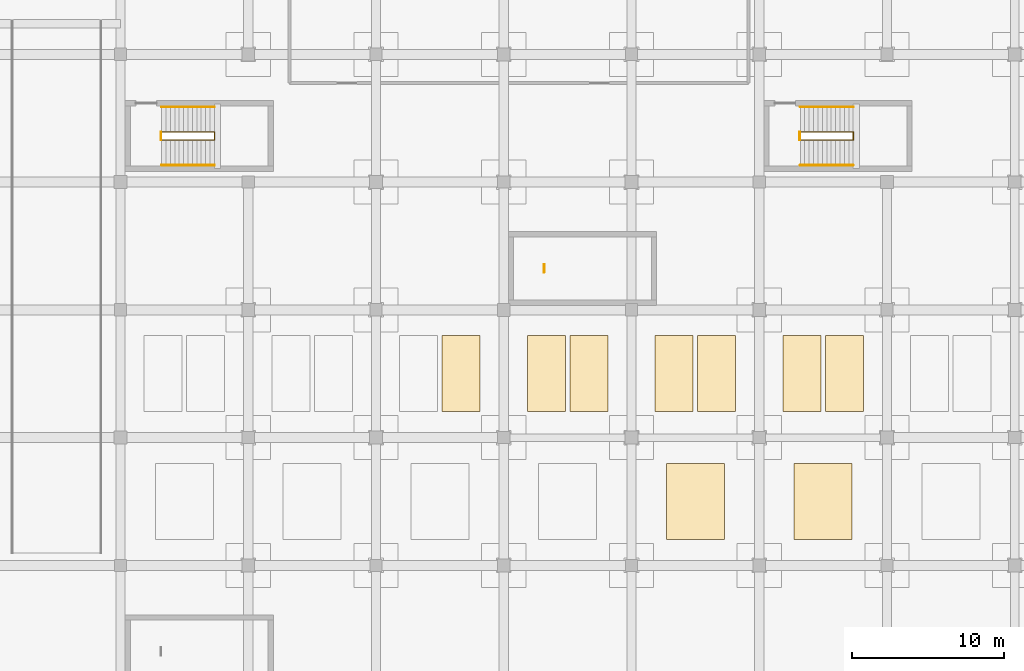
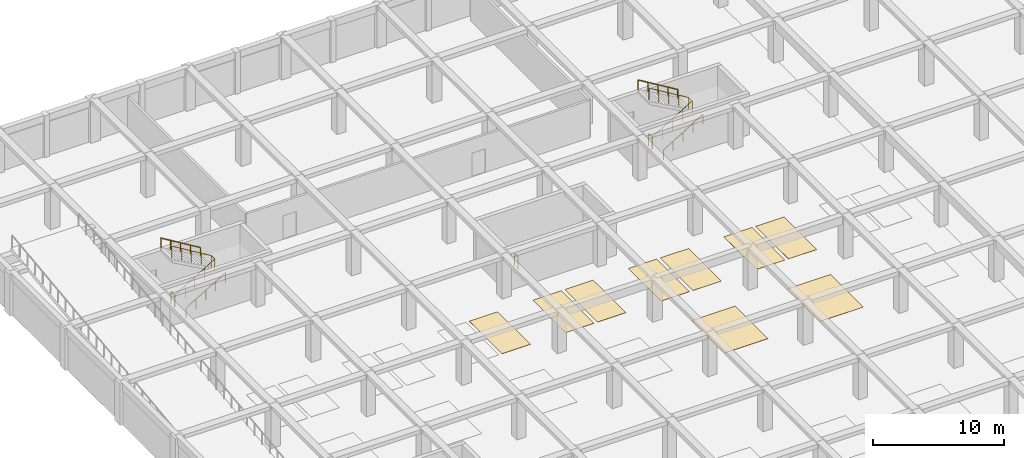
# One storey, part 27 of 32: 9 coverings, 9 railings.
"""IFC4 building model written with IfcOpenShell, lengths in metres."""

from ifc_helpers import new_model, si_unit, direction, frame, origin, origin_2d, place, context, subcontext, project, spatial, rectangle, circle, extrude, material, layer, layer_set, type_object, element, save


model = new_model("IFC4")

# Units and contexts
model_context = context("Model", 3, precision=1e-05, world=origin(), true_north=direction((0.0, 1.0)))
body_context = subcontext(model_context, "Body", "Model", "MODEL_VIEW")
ifc_project = project(units=[si_unit("LENGTHUNIT", "METRE"), si_unit("AREAUNIT", "SQUARE_METRE"), si_unit("VOLUMEUNIT", "CUBIC_METRE"), si_unit("PLANEANGLEUNIT", "RADIAN"), si_unit("MASSUNIT", "GRAM", prefix="KILO")], contexts=[model_context])

# Site, building, storey
site_placement = place(None, origin())
site = spatial("IfcSite", under=ifc_project, at=site_placement, CompositionType="ELEMENT")
building_placement = place(site_placement, origin())
building = spatial("IfcBuilding", under=site, at=building_placement, Name="Almacenes y Pasaje Nevantli", CompositionType="ELEMENT")
storey_placement = place(building_placement, frame((0.0, 0.0, -4.199951171875)))
storey = spatial("IfcBuildingStorey", under=building, at=storey_placement, Name="B01", CompositionType="ELEMENT", Elevation=-4.199951171875)

# Coverings
ifc_material_1 = material(Name="Thermoplastic Accessible Stall Marking", Category="stone")
ifc_layer_1 = layer(ifc_material_1, 0.010009765625)
ifc_layer_set_1 = layer_set([ifc_layer_1], Name="Thermoplastic Accessible Stall Marking")
covering_type_1 = type_object("IfcCoveringType", Name="COV-PARK-ACC", PredefinedType="FLOORING", material=ifc_layer_set_1)
for number, where, z_axis, x_axis, name in (
    (1, (46.199951171875, 71.39990234375, 0.0), (0.0, 0.0, 1.0), (1.0, 0.0, 0.0), "B01 Accessible Parking Bay Marking #26"),
    (2, (54.60009765625, 71.39990234375, 0.0), (0.0, 0.0, 1.0), (1.0, 0.0, 0.0), "B01 Accessible Parking Bay Marking #27"),
):
    element("IfcCovering", number, at=place(storey_placement, frame(where, z_axis=z_axis, x_axis=x_axis)), inside=storey, type_object=covering_type_1, Name=name, PredefinedType="FLOORING", context=body_context, shape_type="SweptSolid", body=[
        extrude(rectangle(XDim=3.800048828125, YDim=5.0, at=origin_2d()), origin(), (0.0, 0.0, 1.0), 0.010009765625),
    ])
ifc_material_2 = material(Name="Thermoplastic Traffic Deck Marking", Category="stone")
ifc_layer_2 = layer(ifc_material_2, 0.010009765625)
ifc_layer_set_2 = layer_set([ifc_layer_2], Name="Thermoplastic Traffic Deck Marking")
covering_type_2 = type_object("IfcCoveringType", Name="COV-PARK-BAY", PredefinedType="FLOORING", material=ifc_layer_set_2)
for number, where, z_axis, x_axis, name in (
    (3, (30.800048828125, 79.800048828125, 0.0), (0.0, 0.0, 1.0), (1.0, 0.0, 0.0), "B01 Underground Parking Bay Marking #88"),
    (4, (36.39990234375, 79.800048828125, 0.0), (0.0, 0.0, 1.0), (1.0, 0.0, 0.0), "B01 Underground Parking Bay Marking #89"),
    (5, (39.199951171875, 79.800048828125, 0.0), (0.0, 0.0, 1.0), (1.0, 0.0, 0.0), "B01 Underground Parking Bay Marking #90"),
    (6, (44.800048828125, 79.800048828125, 0.0), (0.0, 0.0, 1.0), (1.0, 0.0, 0.0), "B01 Underground Parking Bay Marking #91"),
    (7, (47.60009765625, 79.800048828125, 0.0), (0.0, 0.0, 1.0), (1.0, 0.0, 0.0), "B01 Underground Parking Bay Marking #92"),
    (8, (53.199951171875, 79.800048828125, 0.0), (0.0, 0.0, 1.0), (1.0, 0.0, 0.0), "B01 Underground Parking Bay Marking #93"),
    (9, (56.0, 79.800048828125, 0.0), (0.0, 0.0, 1.0), (1.0, 0.0, 0.0), "B01 Underground Parking Bay Marking #94"),
):
    element("IfcCovering", number, at=place(storey_placement, frame(where, z_axis=z_axis, x_axis=x_axis)), inside=storey, type_object=covering_type_2, Name=name, PredefinedType="FLOORING", context=body_context, shape_type="SweptSolid", body=[
        extrude(rectangle(XDim=2.5, YDim=5.0, at=origin_2d()), origin(), (0.0, 0.0, 1.0), 0.010009765625),
    ])

# Railings
ifc_material_3 = material(Name="Brushed Stainless Steel and Tempered Safety Glass", Category="steel")
railing_type_1 = type_object("IfcRailingType", Name="RL-GUARD-1100", PredefinedType="BALUSTRADE", material=ifc_material_3)
railing_1_placement = place(storey_placement, frame((11.10009765625, 95.159912109375, 0.0)))
element("IfcRailing", 10, at=railing_1_placement, inside=storey, type_object=railing_type_1, Name="B01 Stair ST-03 Inner Well Guard Balustrade", PredefinedType="BALUSTRADE", context=body_context, shape_type="SweptSolid", body=[
    extrude(circle(Radius=0.02392578125, at=origin_2d()), frame((0.025634765625, 0.0, 1.141357421875), z_axis=(0.856202320911, 0.0, 0.516640673647), x_axis=(0.0, 1.0, 0.0)), (0.0, 0.0, 1.0), 4.00439453125),
    extrude(circle(Radius=0.02392578125, at=origin_2d()), frame((3.47998046875, 0.030029296875, 3.2255859375), z_axis=(0.0, 1.0, 0.0), x_axis=(-1.0, 0.0, 0.0)), (0.0, 0.0, 1.0), 0.469970703125),
    extrude(circle(Radius=0.02392578125, at=origin_2d()), frame((3.454345703125, 0.530029296875, 3.2412109375), z_axis=(-0.856175749803, 0.0, 0.516684706034), x_axis=(0.0, -1.0, 0.0)), (0.0, 0.0, 1.0), 4.004638671875),
    extrude(circle(Radius=0.02099609375, at=origin_2d()), origin(), (0.0, 0.0, 1.0), 1.096923828125),
    extrude(circle(Radius=0.02099609375, at=origin_2d()), frame((0.8701171875, 0.0, 0.52490234375)), (0.0, 0.0, 1.0), 1.096923828125),
    extrude(circle(Radius=0.02099609375, at=origin_2d()), frame((1.739990234375, 0.0, 1.0498046875)), (0.0, 0.0, 1.0), 1.096923828125),
    extrude(circle(Radius=0.02099609375, at=origin_2d()), frame((2.60986328125, 0.0, 1.574951171875)), (0.0, 0.0, 1.0), 1.096923828125),
    extrude(circle(Radius=0.02099609375, at=origin_2d()), frame((3.47998046875, 0.0, 2.099853515625)), (0.0, 0.0, 1.0), 1.096923828125),
    extrude(circle(Radius=0.02099609375, at=origin_2d()), frame((3.47998046875, 0.530029296875, 2.099853515625)), (0.0, 0.0, 1.0), 1.096923828125),
    extrude(circle(Radius=0.02099609375, at=origin_2d()), frame((2.60986328125, 0.530029296875, 2.625)), (0.0, 0.0, 1.0), 1.096923828125),
    extrude(circle(Radius=0.02099609375, at=origin_2d()), frame((1.739990234375, 0.530029296875, 3.14990234375)), (0.0, 0.0, 1.0), 1.096923828125),
    extrude(circle(Radius=0.02099609375, at=origin_2d()), frame((0.8701171875, 0.530029296875, 3.6748046875)), (0.0, 0.0, 1.0), 1.096923828125),
    extrude(circle(Radius=0.02099609375, at=origin_2d()), frame((0.0, 0.530029296875, 4.199951171875)), (0.0, 0.0, 1.0), 1.096923828125),
])
railing_2_placement = place(storey_placement, frame((11.06005859375, 95.159912109375, 0.0)))
element("IfcRailing", 11, at=railing_2_placement, inside=storey, type_object=railing_type_1, Name="B01 Stair ST-03 Landing Well Slot Guard", PredefinedType="BALUSTRADE", context=body_context, shape_type="SweptSolid", body=[
    extrude(circle(Radius=0.02392578125, at=origin_2d()), frame((0.0, 0.030029296875, 1.1259765625), z_axis=(0.0, 1.0, 0.0), x_axis=(-1.0, 0.0, 0.0)), (0.0, 0.0, 1.0), 0.469970703125),
    extrude(circle(Radius=0.02099609375, at=origin_2d()), origin(), (0.0, 0.0, 1.0), 1.096923828125),
    extrude(circle(Radius=0.02099609375, at=origin_2d()), frame((0.0, 0.530029296875, 0.0)), (0.0, 0.0, 1.0), 1.096923828125),
])
railing_3_placement = place(storey_placement, frame((53.10009765625, 95.159912109375, 0.0)))
element("IfcRailing", 12, at=railing_3_placement, inside=storey, type_object=railing_type_1, Name="B01 Stair ST-05 Inner Well Guard Balustrade", PredefinedType="BALUSTRADE", context=body_context, shape_type="SweptSolid", body=[
    extrude(circle(Radius=0.02392578125, at=origin_2d()), frame((0.025634765625, 0.0, 1.141357421875), z_axis=(0.856202320911, 0.0, 0.516640673647), x_axis=(0.0, 1.0, 0.0)), (0.0, 0.0, 1.0), 4.00439453125),
    extrude(circle(Radius=0.02392578125, at=origin_2d()), frame((3.47998046875, 0.030029296875, 3.2255859375), z_axis=(0.0, 1.0, 0.0), x_axis=(-1.0, 0.0, 0.0)), (0.0, 0.0, 1.0), 0.469970703125),
    extrude(circle(Radius=0.02392578125, at=origin_2d()), frame((3.454345703125, 0.530029296875, 3.2412109375), z_axis=(-0.856175749803, 0.0, 0.516684706034), x_axis=(0.0, -1.0, 0.0)), (0.0, 0.0, 1.0), 4.004638671875),
    extrude(circle(Radius=0.02099609375, at=origin_2d()), origin(), (0.0, 0.0, 1.0), 1.096923828125),
    extrude(circle(Radius=0.02099609375, at=origin_2d()), frame((0.8701171875, 0.0, 0.52490234375)), (0.0, 0.0, 1.0), 1.096923828125),
    extrude(circle(Radius=0.02099609375, at=origin_2d()), frame((1.739990234375, 0.0, 1.0498046875)), (0.0, 0.0, 1.0), 1.096923828125),
    extrude(circle(Radius=0.02099609375, at=origin_2d()), frame((2.60986328125, 0.0, 1.574951171875)), (0.0, 0.0, 1.0), 1.096923828125),
    extrude(circle(Radius=0.02099609375, at=origin_2d()), frame((3.47998046875, 0.0, 2.099853515625)), (0.0, 0.0, 1.0), 1.096923828125),
    extrude(circle(Radius=0.02099609375, at=origin_2d()), frame((3.47998046875, 0.530029296875, 2.099853515625)), (0.0, 0.0, 1.0), 1.096923828125),
    extrude(circle(Radius=0.02099609375, at=origin_2d()), frame((2.60986328125, 0.530029296875, 2.625)), (0.0, 0.0, 1.0), 1.096923828125),
    extrude(circle(Radius=0.02099609375, at=origin_2d()), frame((1.739990234375, 0.530029296875, 3.14990234375)), (0.0, 0.0, 1.0), 1.096923828125),
    extrude(circle(Radius=0.02099609375, at=origin_2d()), frame((0.8701171875, 0.530029296875, 3.6748046875)), (0.0, 0.0, 1.0), 1.096923828125),
    extrude(circle(Radius=0.02099609375, at=origin_2d()), frame((0.0, 0.530029296875, 4.199951171875)), (0.0, 0.0, 1.0), 1.096923828125),
])
for number, where, name in (
    (13, (53.06005859375, 95.159912109375, 0.0), "B01 Stair ST-05 Landing Well Slot Guard"),
    (14, (36.260009765625, 86.4599609375, 0.0), "B01 Stair ST-15 Landing Well Slot Guard"),
):
    element("IfcRailing", number, at=place(storey_placement, frame(where)), inside=storey, type_object=railing_type_1, Name=name, PredefinedType="BALUSTRADE", context=body_context, shape_type="SweptSolid", body=[
        extrude(circle(Radius=0.02392578125, at=origin_2d()), frame((0.0, 0.030029296875, 1.1259765625), z_axis=(0.0, 1.0, 0.0), x_axis=(-1.0, 0.0, 0.0)), (0.0, 0.0, 1.0), 0.469970703125),
        extrude(circle(Radius=0.02099609375, at=origin_2d()), origin(), (0.0, 0.0, 1.0), 1.096923828125),
        extrude(circle(Radius=0.02099609375, at=origin_2d()), frame((0.0, 0.530029296875, 0.0)), (0.0, 0.0, 1.0), 1.096923828125),
    ])
ifc_material_4 = material(Name="Brushed Stainless Steel Tube", Category="steel")
railing_type_2 = type_object("IfcRailingType", Name="RL-HANDRAIL-900", PredefinedType="HANDRAIL", material=ifc_material_4)
railing_4_placement = place(storey_placement, frame((11.10009765625, 93.510009765625, 0.0)))
element("IfcRailing", 15, at=railing_4_placement, inside=storey, type_object=railing_type_2, Name="B01 Stair ST-03 Lower Flight Handrail", PredefinedType="HANDRAIL", context=body_context, shape_type="SweptSolid", body=[
    extrude(circle(Radius=0.02392578125, at=origin_2d()), frame((0.025634765625, 0.0, 0.891357421875), z_axis=(0.856202320911, 0.0, 0.516640673647), x_axis=(0.0, 1.0, 0.0)), (0.0, 0.0, 1.0), 4.00439453125),
    extrude(circle(Radius=0.02099609375, at=origin_2d()), origin(), (0.0, 0.0, 1.0), 0.846923828125),
    extrude(circle(Radius=0.02099609375, at=origin_2d()), frame((0.8701171875, 0.0, 0.52490234375)), (0.0, 0.0, 1.0), 0.846923828125),
    extrude(circle(Radius=0.02099609375, at=origin_2d()), frame((1.739990234375, 0.0, 1.0498046875)), (0.0, 0.0, 1.0), 0.846923828125),
    extrude(circle(Radius=0.02099609375, at=origin_2d()), frame((2.60986328125, 0.0, 1.574951171875)), (0.0, 0.0, 1.0), 0.846923828125),
    extrude(circle(Radius=0.02099609375, at=origin_2d()), frame((3.47998046875, 0.0, 2.099853515625)), (0.0, 0.0, 1.0), 0.846923828125),
])
railing_5_placement = place(storey_placement, frame((14.580078125, 97.340087890625, 2.099853515625)))
element("IfcRailing", 16, at=railing_5_placement, inside=storey, type_object=railing_type_2, Name="B01 Stair ST-03 Upper Flight Handrail", PredefinedType="HANDRAIL", context=body_context, shape_type="SweptSolid", body=[
    extrude(circle(Radius=0.02392578125, at=origin_2d()), frame((-0.025634765625, 0.0, 0.891357421875), z_axis=(-0.856175749803, 0.0, 0.516684706034), x_axis=(0.0, -1.0, 0.0)), (0.0, 0.0, 1.0), 4.004638671875),
    extrude(circle(Radius=0.02099609375, at=origin_2d()), origin(), (0.0, 0.0, 1.0), 0.846923828125),
    extrude(circle(Radius=0.02099609375, at=origin_2d()), frame((-0.8701171875, 0.0, 0.52490234375)), (0.0, 0.0, 1.0), 0.846923828125),
    extrude(circle(Radius=0.02099609375, at=origin_2d()), frame((-1.739990234375, 0.0, 1.050048828125)), (0.0, 0.0, 1.0), 0.846923828125),
    extrude(circle(Radius=0.02099609375, at=origin_2d()), frame((-2.60986328125, 0.0, 1.5751953125)), (0.0, 0.0, 1.0), 0.846923828125),
    extrude(circle(Radius=0.02099609375, at=origin_2d()), frame((-3.47998046875, 0.0, 2.10009765625)), (0.0, 0.0, 1.0), 0.846923828125),
])
railing_6_placement = place(storey_placement, frame((53.10009765625, 93.510009765625, 0.0)))
element("IfcRailing", 17, at=railing_6_placement, inside=storey, type_object=railing_type_2, Name="B01 Stair ST-05 Lower Flight Handrail", PredefinedType="HANDRAIL", context=body_context, shape_type="SweptSolid", body=[
    extrude(circle(Radius=0.02392578125, at=origin_2d()), frame((0.025634765625, 0.0, 0.891357421875), z_axis=(0.856202320911, 0.0, 0.516640673647), x_axis=(0.0, 1.0, 0.0)), (0.0, 0.0, 1.0), 4.00439453125),
    extrude(circle(Radius=0.02099609375, at=origin_2d()), origin(), (0.0, 0.0, 1.0), 0.846923828125),
    extrude(circle(Radius=0.02099609375, at=origin_2d()), frame((0.8701171875, 0.0, 0.52490234375)), (0.0, 0.0, 1.0), 0.846923828125),
    extrude(circle(Radius=0.02099609375, at=origin_2d()), frame((1.739990234375, 0.0, 1.0498046875)), (0.0, 0.0, 1.0), 0.846923828125),
    extrude(circle(Radius=0.02099609375, at=origin_2d()), frame((2.60986328125, 0.0, 1.574951171875)), (0.0, 0.0, 1.0), 0.846923828125),
    extrude(circle(Radius=0.02099609375, at=origin_2d()), frame((3.47998046875, 0.0, 2.099853515625)), (0.0, 0.0, 1.0), 0.846923828125),
])
railing_7_placement = place(storey_placement, frame((56.580078125, 97.340087890625, 2.099853515625)))
element("IfcRailing", 18, at=railing_7_placement, inside=storey, type_object=railing_type_2, Name="B01 Stair ST-05 Upper Flight Handrail", PredefinedType="HANDRAIL", context=body_context, shape_type="SweptSolid", body=[
    extrude(circle(Radius=0.02392578125, at=origin_2d()), frame((-0.025634765625, 0.0, 0.891357421875), z_axis=(-0.856175749803, 0.0, 0.516684706034), x_axis=(0.0, -1.0, 0.0)), (0.0, 0.0, 1.0), 4.004638671875),
    extrude(circle(Radius=0.02099609375, at=origin_2d()), origin(), (0.0, 0.0, 1.0), 0.846923828125),
    extrude(circle(Radius=0.02099609375, at=origin_2d()), frame((-0.8701171875, 0.0, 0.52490234375)), (0.0, 0.0, 1.0), 0.846923828125),
    extrude(circle(Radius=0.02099609375, at=origin_2d()), frame((-1.739990234375, 0.0, 1.050048828125)), (0.0, 0.0, 1.0), 0.846923828125),
    extrude(circle(Radius=0.02099609375, at=origin_2d()), frame((-2.60986328125, 0.0, 1.5751953125)), (0.0, 0.0, 1.0), 0.846923828125),
    extrude(circle(Radius=0.02099609375, at=origin_2d()), frame((-3.47998046875, 0.0, 2.10009765625)), (0.0, 0.0, 1.0), 0.846923828125),
])

save(model, "model.ifc")
